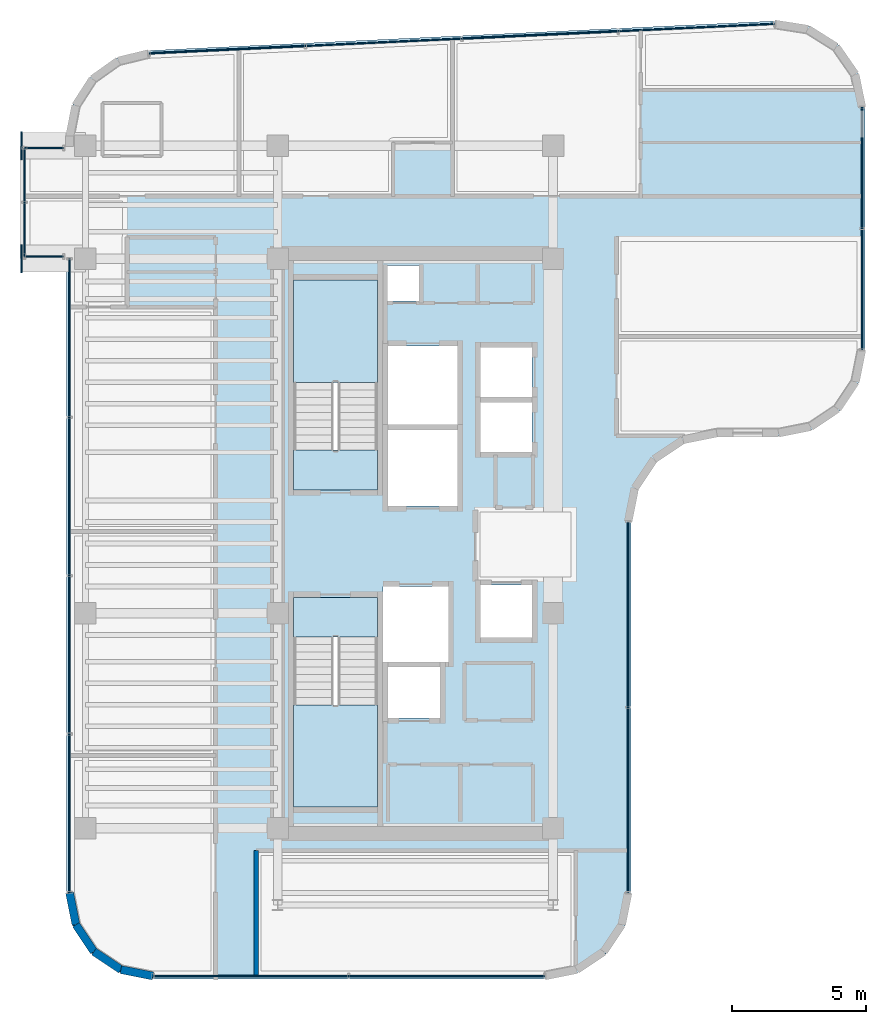
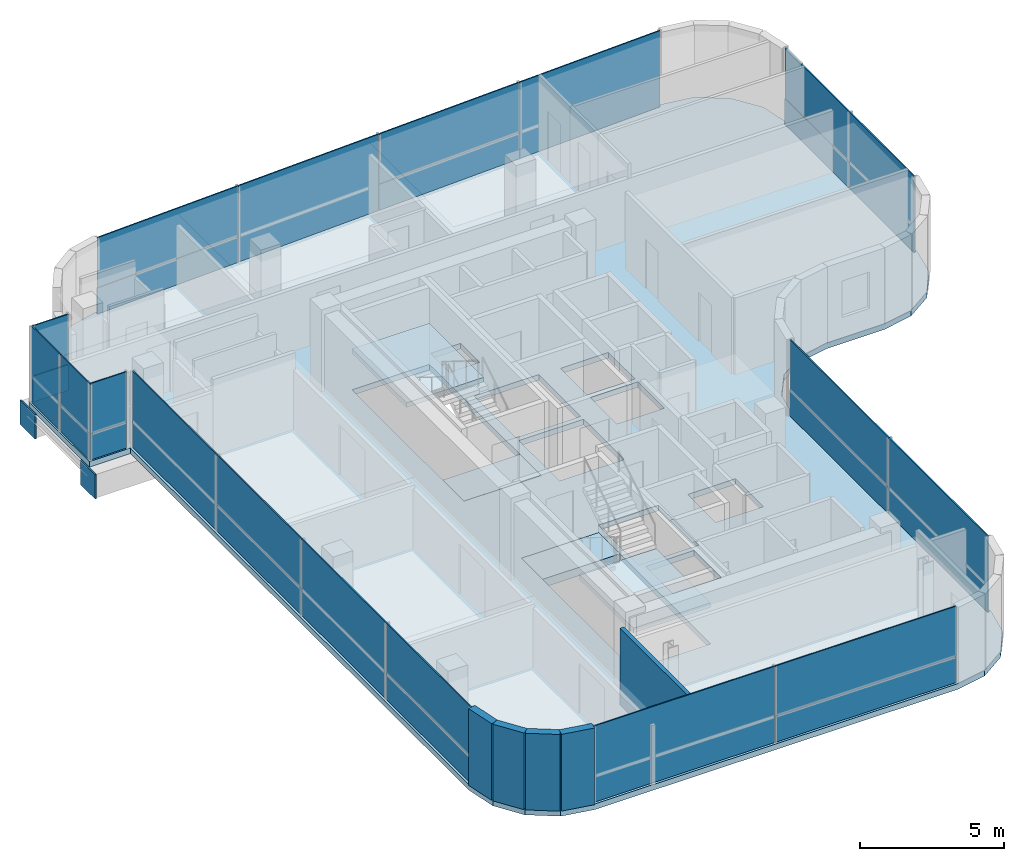
# One storey, part 15 of 21: 30 plates, 5 slabs, 5 walls, 10 elements without a shape of their own.
"""IFC4 building model written with IfcOpenShell, lengths in metres."""

from ifc_helpers import new_model, si_unit, direction, frame, frame_2d, origin, origin_2d, place, context, subcontext, project, spatial, polyline, rectangle, outline, extrude, source, transform, mapped, material, layer, layer_set, type_object, element, aggregate, save


model = new_model("IFC4")

# Units and contexts
model_context = context("Model", 3, precision=1e-05, world=origin(), true_north=direction((0.0, 1.0)))
body_context = subcontext(model_context, "Body", "Model", "MODEL_VIEW")
ifc_project = project(units=[si_unit("LENGTHUNIT", "METRE"), si_unit("AREAUNIT", "SQUARE_METRE"), si_unit("VOLUMEUNIT", "CUBIC_METRE"), si_unit("PLANEANGLEUNIT", "RADIAN"), si_unit("MASSUNIT", "GRAM", prefix="KILO")], contexts=[model_context])

# Site, building, storey
site_placement = place(None, origin())
site = spatial("IfcSite", under=ifc_project, at=site_placement, CompositionType="ELEMENT")
building_placement = place(site_placement, origin())
building = spatial("IfcBuilding", under=site, at=building_placement, Name="Valdorenza Pilgrim Sanctuary Tower", CompositionType="ELEMENT")
storey_placement = place(building_placement, frame((0.0, 0.0, 251.0)))
storey = spatial("IfcBuildingStorey", under=building, at=storey_placement, Name="L65", CompositionType="ELEMENT", Elevation=251.0)

# Slab
ifc_material_1 = material(Name="Concrete C40/50", Category="concrete")
ifc_layer_1 = layer(ifc_material_1, 0.239990234375, Name="Concrete C40/50")
ifc_layer_set_1 = layer_set([ifc_layer_1], Name="Concrete C40/50")
slab_type_1 = type_object("IfcSlabType", Name="SLAB-FLR-220", PredefinedType="FLOOR", material=ifc_layer_set_1)
slab_1_placement = place(storey_placement, frame((0.0, 0.0, -0.239990234375)))
element("IfcSlab", 1, at=slab_1_placement, inside=storey, type_object=slab_type_1, Name="L65 Structural Floor Slab 1", PredefinedType="FLOOR", context=body_context, shape_type="SweptSolid", body=[
    extrude(outline(polyline([(-30.2705078125, 16.3369140625), (-29.615478515625, 17.356201171875), (-28.628173828125, 18.05859375), (-27.45068359375, 18.34375), (-4.150634765625, 19.442138671875), (-2.880615234375, 19.243408203125), (-1.791259765625, 18.56103515625), (-1.05810546875, 17.5048828125), (-0.800048828125, 16.24560546875), (-0.800048828125, 7.199951171875), (-1.043701171875, 5.975341796875), (-1.7373046875, 4.937255859375), (-2.775390625, 4.24365234375), (-4.0, 4.0), (-6.300048828125, 4.0), (-7.524658203125, 3.75634765625), (-8.562744140625, 3.062744140625), (-9.25634765625, 2.024658203125), (-9.5, 0.800048828125), (-9.5, -13.0), (-9.74365234375, -14.224609375), (-10.437255859375, -15.2626953125), (-11.475341796875, -15.956298828125), (-12.699951171875, -16.199951171875), (-27.300048828125, -16.199951171875), (-28.524658203125, -15.956298828125), (-29.562744140625, -15.2626953125), (-30.25634765625, -14.224609375), (-30.5, -13.0), (-30.5, 10.60009765625), (-32.14990234375, 10.60009765625), (-32.14990234375, 14.800048828125), (-30.5, 14.800048828125), (-30.5, 15.147216796875), (-30.2705078125, 16.3369140625)]), holes=[polyline([(-22.050048828125, -9.800048828125), (-18.93994140625, -9.800048828125), (-18.93994140625, -3.485107421875), (-18.93994140625, -2.0), (-22.050048828125, -2.0), (-22.050048828125, -3.485107421875), (-22.050048828125, -9.800048828125)]), polyline([(-16.60009765625, -6.5), (-16.60009765625, -4.60009765625), (-18.550048828125, -4.60009765625), (-18.550048828125, -6.5), (-16.60009765625, -6.5)]), polyline([(-22.050048828125, 2.0), (-18.93994140625, 2.0), (-18.93994140625, 3.485107421875), (-18.93994140625, 9.800048828125), (-22.050048828125, 9.800048828125), (-22.050048828125, 3.485107421875), (-22.050048828125, 2.0)]), polyline([(-17.360107421875, 9.030029296875), (-17.360107421875, 10.35009765625), (-18.570068359375, 10.35009765625), (-18.570068359375, 9.030029296875), (-17.360107421875, 9.030029296875)]), polyline([(-16.300048828125, -1.60009765625), (-18.719970703125, -1.60009765625), (-18.719970703125, -4.39990234375), (-16.300048828125, -4.39990234375), (-16.300048828125, -1.60009765625)]), polyline([(-13.179931640625, -3.5), (-13.179931640625, -1.550048828125), (-15.10009765625, -1.550048828125), (-15.10009765625, -3.5), (-13.179931640625, -3.5)]), polyline([(-15.949951171875, 1.39990234375), (-15.949951171875, 4.22509765625), (-18.550048828125, 4.22509765625), (-18.550048828125, 1.39990234375), (-15.949951171875, 1.39990234375)]), polyline([(-13.179931640625, 5.25), (-15.10009765625, 5.25), (-15.10009765625, 3.39990234375), (-13.179931640625, 3.39990234375), (-13.179931640625, 5.25)]), polyline([(-15.949951171875, 4.425048828125), (-15.949951171875, 7.35009765625), (-18.550048828125, 7.35009765625), (-18.550048828125, 4.425048828125), (-15.949951171875, 4.425048828125)]), polyline([(-13.179931640625, 5.449951171875), (-13.179931640625, 7.300048828125), (-15.10009765625, 7.300048828125), (-15.10009765625, 5.449951171875), (-13.179931640625, 5.449951171875)])]), origin(), (0.0, 0.0, 1.0), 0.239990234375),
])

# Stair, slab
stair_type = type_object("IfcStairType", Name="STR-DOG-CORE", PredefinedType="HALF_TURN_STAIR", material=ifc_material_1)
stair_1_placement = place(storey_placement, origin())
stair_1 = element("IfcStair", 2, at=stair_1_placement, inside=storey, type_object=stair_type, Name="L65 ST-A1", PredefinedType="HALF_TURN_STAIR")
ifc_layer_2 = layer(ifc_material_1, 0.199951171875, Name="Concrete C40/50")
ifc_layer_set_2 = layer_set([ifc_layer_2], Name="Concrete C40/50")
slab_type_2 = type_object("IfcSlabType", Name="SLAB-STL-200", PredefinedType="LANDING", material=ifc_layer_set_2)
slab_2_placement = place(storey_placement, frame((0.0, 0.0, 1.550048828125)))
slab_2 = element("IfcSlab", 3, at=slab_2_placement, type_object=slab_type_2, Name="ST-A1 landing 1", PredefinedType="LANDING", context=body_context, shape_type="SweptSolid", body=[
    extrude(outline(polyline([(-18.93994140625, 6.0), (-18.93994140625, 9.800048828125), (-22.050048828125, 9.800048828125), (-22.050048828125, 6.0), (-18.93994140625, 6.0)])), origin(), (0.0, 0.0, 1.0), 0.199951171875),
])
aggregate(stair_1, [slab_2])

stair_2_placement = place(storey_placement, origin())
stair_2 = element("IfcStair", 4, at=stair_2_placement, inside=storey, type_object=stair_type, Name="L65 ST-A2", PredefinedType="HALF_TURN_STAIR")
slab_3_placement = place(storey_placement, frame((0.0, 0.0, 1.550048828125)))
slab_3 = element("IfcSlab", 5, at=slab_3_placement, type_object=slab_type_2, Name="ST-A2 landing 1", PredefinedType="LANDING", context=body_context, shape_type="SweptSolid", body=[
    extrude(outline(polyline([(-22.050048828125, -6.0), (-22.050048828125, -9.800048828125), (-18.93994140625, -9.800048828125), (-18.93994140625, -6.0), (-22.050048828125, -6.0)])), origin(), (0.0, 0.0, 1.0), 0.199951171875),
])
aggregate(stair_2, [slab_3])

# Slabs
ifc_material_2 = material(Name="Concrete C50/60", Category="concrete")
ifc_layer_3 = layer(ifc_material_2, 0.39990234375, Name="Concrete C50/60")
ifc_layer_set_3 = layer_set([ifc_layer_3], Name="Concrete C50/60")
slab_type_3 = type_object("IfcSlabType", Name="SLAB-TRF-400", PredefinedType="FLOOR", material=ifc_layer_set_3)
slab_4_placement = place(storey_placement, frame((0.0, 0.0, -0.360107421875)))
element("IfcSlab", 6, at=slab_4_placement, inside=storey, type_object=slab_type_3, Name="L65 ST-A1 Structural Stair Landing Bearing Slab", PredefinedType="FLOOR", context=body_context, shape_type="SweptSolid", body=[
    extrude(outline(polyline([(-22.050048828125, 2.0), (-18.93994140625, 2.0), (-18.93994140625, 3.485107421875), (-22.050048828125, 3.485107421875), (-22.050048828125, 2.0)])), origin(), (0.0, 0.0, 1.0), 0.360107421875),
])
slab_5_placement = place(storey_placement, frame((0.0, 0.0, -0.360107421875)))
element("IfcSlab", 7, at=slab_5_placement, inside=storey, type_object=slab_type_3, Name="L65 ST-A2 Structural Stair Landing Bearing Slab", PredefinedType="FLOOR", context=body_context, shape_type="SweptSolid", body=[
    extrude(outline(polyline([(-22.050048828125, -3.485107421875), (-18.93994140625, -3.485107421875), (-18.93994140625, -2.0), (-22.050048828125, -2.0), (-22.050048828125, -3.485107421875)])), origin(), (0.0, 0.0, 1.0), 0.360107421875),
])

# Plates
ifc_material_3 = material(Name="Steel ASTM A572 Grade 42", Category="steel")
ifc_layer_4 = layer(ifc_material_3, 0.06005859375, Name="Steel ASTM A572 Grade 42")
ifc_layer_set_4 = layer_set([ifc_layer_4], Name="Steel ASTM A572 Grade 42")
plate_type_1 = type_object("IfcPlateType", Name="PLT-CAP-60", PredefinedType="SHEET", material=ifc_layer_set_4)
shared_shape_1 = source(origin(), body_context, "Body", "SweptSolid", [
    extrude(rectangle(XDim=0.06005859375, YDim=1.0400390625, at=origin_2d()), origin(), (0.0, 0.0, 1.0), 1.0400390625),
])
for number, where, z_axis, x_axis, name in (
    (8, (-32.179931640625, 14.800048828125, -1.260009765625), (0.0, 0.0, 1.0), (1.0, 0.0, 0.0), "L65 BOX-WA-L65 Cantilever Tip End Cap N"),
    (9, (-32.179931640625, 10.60009765625, -1.260009765625), (0.0, 0.0, 1.0), (1.0, 0.0, 0.0), "L65 BOX-WA-L65 Cantilever Tip End Cap S"),
):
    element("IfcPlate", number, at=place(storey_placement, frame(where, z_axis=z_axis, x_axis=x_axis)), inside=storey, type_object=plate_type_1, Name=name, PredefinedType="SHEET", context=body_context, shape_type="MappedRepresentation", body=[
        mapped(shared_shape_1, transform((0.0, 0.0, 0.0), x_axis=(1.0, 0.0, 0.0), y_axis=(0.0, 1.0, 0.0), z_axis=(0.0, 0.0, 1.0), scale=1.0)),
    ])

# Curtain wall, plate
ifc_material_4 = material(Name="Curtain-wall IGU glazing", Category="glass")
curtain_wall_type = type_object("IfcCurtainWallType", Name="CW-SYS-02", PredefinedType="NOTDEFINED", material=ifc_material_4)
curtain_wall_1_placement = place(storey_placement, origin())
curtain_wall_1 = element("IfcCurtainWall", 10, at=curtain_wall_1_placement, inside=storey, type_object=curtain_wall_type, Name="L65 Curtain Wall CW-L65-BOX-WA-L65-S", PredefinedType="NOTDEFINED")
ifc_material_5 = material(Name="Honed travertine limestone", Category="masonry")
ifc_layer_5 = layer(ifc_material_5, 0.050048828125, Name="Honed travertine limestone")
ifc_layer_set_5 = layer_set([ifc_layer_5], Name="Honed travertine limestone")
plate_type_2 = type_object("IfcPlateType", Name="CW-SPN-TRV", PredefinedType="USERDEFINED", material=ifc_layer_set_5)
shared_shape_2 = source(origin(), body_context, "Body", "SweptSolid", [
    extrude(rectangle(XDim=1.43994140625, YDim=0.06005859375, at=origin_2d()), origin(), (0.0, 0.0, 1.0), 1.10009765625),
])
plate_1_placement = place(storey_placement, frame((-31.340087890625, 10.679931640625, 0.010009765625), z_axis=(0.0, 0.0, 1.0), x_axis=(-1.0, 0.0, 0.0)))
plate_1 = element("IfcPlate", 11, at=plate_1_placement, type_object=plate_type_2, Name="CW-L65-BOX-WA-L65-S Travertine Spandrel 1", ObjectType="SPANDREL", PredefinedType="USERDEFINED", context=body_context, shape_type="MappedRepresentation", body=[
    mapped(shared_shape_2, transform((0.0, 0.0, 0.0), x_axis=(1.0, 0.0, 0.0), y_axis=(0.0, 1.0, 0.0), z_axis=(0.0, 0.0, 1.0), scale=1.0)),
])

curtain_wall_2_placement = place(storey_placement, origin())
curtain_wall_2 = element("IfcCurtainWall", 12, at=curtain_wall_2_placement, inside=storey, type_object=curtain_wall_type, Name="L65 Curtain Wall CW-L65-BOX-WA-L65-N", PredefinedType="NOTDEFINED")
plate_2_placement = place(storey_placement, frame((-31.340087890625, 14.719970703125, 0.010009765625), z_axis=(0.0, 0.0, 1.0), x_axis=(1.0, 0.0, 0.0)))
plate_2 = element("IfcPlate", 13, at=plate_2_placement, type_object=plate_type_2, Name="CW-L65-BOX-WA-L65-N Travertine Spandrel 1", ObjectType="SPANDREL", PredefinedType="USERDEFINED", context=body_context, shape_type="MappedRepresentation", body=[
    mapped(shared_shape_2, transform((0.0, 0.0, 0.0), x_axis=(1.0, 0.0, 0.0), y_axis=(0.0, 1.0, 0.0), z_axis=(0.0, 0.0, 1.0), scale=1.0)),
])

curtain_wall_3_placement = place(storey_placement, origin())
curtain_wall_3 = element("IfcCurtainWall", 14, at=curtain_wall_3_placement, inside=storey, type_object=curtain_wall_type, Name="L65 Curtain Wall CW-L65-BOX-WA-L65-F", PredefinedType="NOTDEFINED")
shared_shape_3 = source(origin(), body_context, "Body", "SweptSolid", [
    extrude(rectangle(XDim=2.0, YDim=0.06005859375, at=origin_2d()), origin(), (0.0, 0.0, 1.0), 1.10009765625),
])
plate_3_placement = place(storey_placement, frame((-32.070068359375, 11.68994140625, 0.010009765625), z_axis=(0.0, 0.0, 1.0), x_axis=(0.0, 1.0, 0.0)))
plate_3 = element("IfcPlate", 15, at=plate_3_placement, type_object=plate_type_2, Name="CW-L65-BOX-WA-L65-F Travertine Spandrel 1", ObjectType="SPANDREL", PredefinedType="USERDEFINED", context=body_context, shape_type="MappedRepresentation", body=[
    mapped(shared_shape_3, transform((0.0, 0.0, 0.0), x_axis=(1.0, 0.0, 0.0), y_axis=(0.0, 1.0, 0.0), z_axis=(0.0, 0.0, 1.0), scale=1.0)),
])

# Plate
ifc_material_6 = material(Name="Ceramic-fritted low-E IGU glazing", Category="glass")
ifc_layer_6 = layer(ifc_material_6, 0.035888671875, Name="Ceramic-fritted low-E IGU glazing")
ifc_layer_set_6 = layer_set([ifc_layer_6], Name="Ceramic-fritted low-E IGU glazing")
plate_type_3 = type_object("IfcPlateType", Name="CW-GLZ-IGU", PredefinedType="USERDEFINED", material=ifc_layer_set_6)
shared_shape_4 = source(origin(), body_context, "Body", "SweptSolid", [
    extrude(rectangle(XDim=1.43994140625, YDim=0.050048828125, at=origin_2d()), origin(), (0.0, 0.0, 1.0), 2.1201171875),
])
plate_4_placement = place(storey_placement, frame((-31.340087890625, 10.679931640625, 1.1298828125), z_axis=(0.0, 0.0, 1.0), x_axis=(-1.0, 0.0, 0.0)))
plate_4 = element("IfcPlate", 16, at=plate_4_placement, type_object=plate_type_3, Name="CW-L65-BOX-WA-L65-S Facade Panel 1", ObjectType="GLAZING", PredefinedType="USERDEFINED", context=body_context, shape_type="MappedRepresentation", body=[
    mapped(shared_shape_4, transform((0.0, 0.0, 0.0), x_axis=(1.0, 0.0, 0.0), y_axis=(0.0, 1.0, 0.0), z_axis=(0.0, 0.0, 1.0), scale=1.0)),
])

aggregate(curtain_wall_1, [plate_1, plate_4])

plate_5_placement = place(storey_placement, frame((-31.340087890625, 14.719970703125, 1.1298828125), z_axis=(0.0, 0.0, 1.0), x_axis=(1.0, 0.0, 0.0)))
plate_5 = element("IfcPlate", 17, at=plate_5_placement, type_object=plate_type_3, Name="CW-L65-BOX-WA-L65-N Facade Panel 1", ObjectType="GLAZING", PredefinedType="USERDEFINED", context=body_context, shape_type="MappedRepresentation", body=[
    mapped(shared_shape_4, transform((0.0, 0.0, 0.0), x_axis=(1.0, 0.0, 0.0), y_axis=(0.0, 1.0, 0.0), z_axis=(0.0, 0.0, 1.0), scale=1.0)),
])

aggregate(curtain_wall_2, [plate_2, plate_5])

shared_shape_5 = source(origin(), body_context, "Body", "SweptSolid", [
    extrude(rectangle(XDim=2.0, YDim=0.050048828125, at=origin_2d()), origin(), (0.0, 0.0, 1.0), 2.1201171875),
])
plate_6_placement = place(storey_placement, frame((-32.070068359375, 11.68994140625, 1.1298828125), z_axis=(0.0, 0.0, 1.0), x_axis=(0.0, 1.0, 0.0)))
plate_6 = element("IfcPlate", 18, at=plate_6_placement, type_object=plate_type_3, Name="CW-L65-BOX-WA-L65-F Facade Panel 1", ObjectType="GLAZING", PredefinedType="USERDEFINED", context=body_context, shape_type="MappedRepresentation", body=[
    mapped(shared_shape_5, transform((0.0, 0.0, 0.0), x_axis=(1.0, 0.0, 0.0), y_axis=(0.0, 1.0, 0.0), z_axis=(0.0, 0.0, 1.0), scale=1.0)),
])

shared_shape_6 = source(origin(), body_context, "Body", "SweptSolid", [
    extrude(rectangle(XDim=2.0, YDim=0.050048828125, at=origin_2d()), origin(), (0.0, 0.0, 1.0), 3.239990234375),
])
plate_7_placement = place(storey_placement, frame((-32.070068359375, 13.7099609375, 0.009765625), z_axis=(0.0, 0.0, 1.0), x_axis=(0.0, 1.0, 0.0)))
plate_7 = element("IfcPlate", 19, at=plate_7_placement, type_object=plate_type_3, Name="CW-L65-BOX-WA-L65-F Full-Height Facade Panel 2", ObjectType="GLAZING", PredefinedType="USERDEFINED", context=body_context, shape_type="MappedRepresentation", body=[
    mapped(shared_shape_6, transform((0.0, 0.0, 0.0), x_axis=(1.0, 0.0, 0.0), y_axis=(0.0, 1.0, 0.0), z_axis=(0.0, 0.0, 1.0), scale=1.0)),
])

aggregate(curtain_wall_3, [plate_3, plate_6, plate_7])

# Curtain wall, plates
curtain_wall_4_placement = place(storey_placement, origin())
curtain_wall_4 = element("IfcCurtainWall", 20, at=curtain_wall_4_placement, inside=storey, type_object=curtain_wall_type, Name="L65 Curtain Wall CW-L65-1-6", PredefinedType="NOTDEFINED")
shared_shape_7 = source(origin(), body_context, "Body", "SweptSolid", [
    extrude(rectangle(XDim=5.805908203125, YDim=0.06005859375, at=origin_2d()), origin(), (0.0, 0.0, 1.0), 1.10009765625),
])
plate_8_placement = place(storey_placement, frame((-24.525146484375, 18.37158203125, 0.010009765625), z_axis=(0.0, 0.0, 1.0), x_axis=(0.998890696972, 0.047089016785, 0.0)))
plate_8 = element("IfcPlate", 21, at=plate_8_placement, type_object=plate_type_2, Name="CW-L65-1-6 Travertine Spandrel 1", ObjectType="SPANDREL", PredefinedType="USERDEFINED", context=body_context, shape_type="MappedRepresentation", body=[
    mapped(shared_shape_7, transform((0.0, 0.0, 0.0), x_axis=(1.0, 0.0, 0.0), y_axis=(0.0, 1.0, 0.0), z_axis=(0.0, 0.0, 1.0), scale=1.0)),
])
plate_9_placement = place(storey_placement, frame((-12.885986328125, 18.920166015625, 0.010009765625), z_axis=(0.0, 0.0, 1.0), x_axis=(0.998890696972, 0.047089016785, 0.0)))
plate_9 = element("IfcPlate", 22, at=plate_9_placement, type_object=plate_type_2, Name="CW-L65-1-6 Travertine Spandrel 3", ObjectType="SPANDREL", PredefinedType="USERDEFINED", context=body_context, shape_type="MappedRepresentation", body=[
    mapped(shared_shape_7, transform((0.0, 0.0, 0.0), x_axis=(1.0, 0.0, 0.0), y_axis=(0.0, 1.0, 0.0), z_axis=(0.0, 0.0, 1.0), scale=1.0)),
])
shared_shape_8 = source(origin(), body_context, "Body", "SweptSolid", [
    extrude(rectangle(XDim=5.805908203125, YDim=0.050048828125, at=origin_2d()), origin(), (0.0, 0.0, 1.0), 2.1201171875),
])
plate_10_placement = place(storey_placement, frame((-24.525146484375, 18.37158203125, 1.1298828125), z_axis=(0.0, 0.0, 1.0), x_axis=(0.998890696972, 0.047089016785, 0.0)))
plate_10 = element("IfcPlate", 23, at=plate_10_placement, type_object=plate_type_3, Name="CW-L65-1-6 Facade Panel 1", ObjectType="GLAZING", PredefinedType="USERDEFINED", context=body_context, shape_type="MappedRepresentation", body=[
    mapped(shared_shape_8, transform((0.0, 0.0, 0.0), x_axis=(1.0, 0.0, 0.0), y_axis=(0.0, 1.0, 0.0), z_axis=(0.0, 0.0, 1.0), scale=1.0)),
])
plate_11_placement = place(storey_placement, frame((-12.885986328125, 18.920166015625, 1.1298828125), z_axis=(0.0, 0.0, 1.0), x_axis=(0.998890696972, 0.047089016785, 0.0)))
plate_11 = element("IfcPlate", 24, at=plate_11_placement, type_object=plate_type_3, Name="CW-L65-1-6 Facade Panel 3", ObjectType="GLAZING", PredefinedType="USERDEFINED", context=body_context, shape_type="MappedRepresentation", body=[
    mapped(shared_shape_8, transform((0.0, 0.0, 0.0), x_axis=(1.0, 0.0, 0.0), y_axis=(0.0, 1.0, 0.0), z_axis=(0.0, 0.0, 1.0), scale=1.0)),
])
shared_shape_9 = source(origin(), body_context, "Body", "SweptSolid", [
    extrude(rectangle(XDim=5.805908203125, YDim=0.050048828125, at=origin_2d()), origin(), (0.0, 0.0, 1.0), 3.239990234375),
])
plate_12_placement = place(storey_placement, frame((-18.70556640625, 18.645751953125, 0.009765625), z_axis=(0.0, 0.0, 1.0), x_axis=(0.998890696972, 0.047089016785, 0.0)))
plate_12 = element("IfcPlate", 25, at=plate_12_placement, type_object=plate_type_3, Name="CW-L65-1-6 Full-Height Facade Panel 2", ObjectType="GLAZING", PredefinedType="USERDEFINED", context=body_context, shape_type="MappedRepresentation", body=[
    mapped(shared_shape_9, transform((0.0, 0.0, 0.0), x_axis=(1.0, 0.0, 0.0), y_axis=(0.0, 1.0, 0.0), z_axis=(0.0, 0.0, 1.0), scale=1.0)),
])
plate_13_placement = place(storey_placement, frame((-7.06640625, 19.194580078125, 0.009765625), z_axis=(0.0, 0.0, 1.0), x_axis=(0.998890696972, 0.047089016785, 0.0)))
plate_13 = element("IfcPlate", 26, at=plate_13_placement, type_object=plate_type_3, Name="CW-L65-1-6 Full-Height Facade Panel 4", ObjectType="GLAZING", PredefinedType="USERDEFINED", context=body_context, shape_type="MappedRepresentation", body=[
    mapped(shared_shape_9, transform((0.0, 0.0, 0.0), x_axis=(1.0, 0.0, 0.0), y_axis=(0.0, 1.0, 0.0), z_axis=(0.0, 0.0, 1.0), scale=1.0)),
])
aggregate(curtain_wall_4, [plate_8, plate_10, plate_12, plate_9, plate_11, plate_13])

curtain_wall_5_placement = place(storey_placement, origin())
curtain_wall_5 = element("IfcCurtainWall", 27, at=curtain_wall_5_placement, inside=storey, type_object=curtain_wall_type, Name="L65 Curtain Wall CW-L65-1-11", PredefinedType="NOTDEFINED")
shared_shape_10 = source(origin(), body_context, "Body", "SweptSolid", [
    extrude(rectangle(XDim=4.49169921875, YDim=0.06005859375, at=origin_2d()), origin(), (0.0, 0.0, 1.0), 1.10009765625),
])
plate_14_placement = place(storey_placement, frame((-0.909912109375, 13.978515625, 0.010009765625), z_axis=(0.0, 0.0, 1.0), x_axis=(0.0, -1.0, 0.0)))
plate_14 = element("IfcPlate", 28, at=plate_14_placement, type_object=plate_type_2, Name="CW-L65-1-11 Travertine Spandrel 1", ObjectType="SPANDREL", PredefinedType="USERDEFINED", context=body_context, shape_type="MappedRepresentation", body=[
    mapped(shared_shape_10, transform((0.0, 0.0, 0.0), x_axis=(1.0, 0.0, 0.0), y_axis=(0.0, 1.0, 0.0), z_axis=(0.0, 0.0, 1.0), scale=1.0)),
])
shared_shape_11 = source(origin(), body_context, "Body", "SweptSolid", [
    extrude(rectangle(XDim=4.49169921875, YDim=0.050048828125, at=origin_2d()), origin(), (0.0, 0.0, 1.0), 2.1201171875),
])
plate_15_placement = place(storey_placement, frame((-0.909912109375, 13.978515625, 1.1298828125), z_axis=(0.0, 0.0, 1.0), x_axis=(0.0, -1.0, 0.0)))
plate_15 = element("IfcPlate", 29, at=plate_15_placement, type_object=plate_type_3, Name="CW-L65-1-11 Facade Panel 1", ObjectType="GLAZING", PredefinedType="USERDEFINED", context=body_context, shape_type="MappedRepresentation", body=[
    mapped(shared_shape_11, transform((0.0, 0.0, 0.0), x_axis=(1.0, 0.0, 0.0), y_axis=(0.0, 1.0, 0.0), z_axis=(0.0, 0.0, 1.0), scale=1.0)),
])
shared_shape_12 = source(origin(), body_context, "Body", "SweptSolid", [
    extrude(rectangle(XDim=4.49169921875, YDim=0.050048828125, at=origin_2d()), origin(), (0.0, 0.0, 1.0), 3.239990234375),
])
plate_16_placement = place(storey_placement, frame((-0.909912109375, 9.466796875, 0.009765625), z_axis=(0.0, 0.0, 1.0), x_axis=(0.0, -1.0, 0.0)))
plate_16 = element("IfcPlate", 30, at=plate_16_placement, type_object=plate_type_3, Name="CW-L65-1-11 Full-Height Facade Panel 2", ObjectType="GLAZING", PredefinedType="USERDEFINED", context=body_context, shape_type="MappedRepresentation", body=[
    mapped(shared_shape_12, transform((0.0, 0.0, 0.0), x_axis=(1.0, 0.0, 0.0), y_axis=(0.0, 1.0, 0.0), z_axis=(0.0, 0.0, 1.0), scale=1.0)),
])
aggregate(curtain_wall_5, [plate_14, plate_15, plate_16])

curtain_wall_6_placement = place(storey_placement, origin())
curtain_wall_6 = element("IfcCurtainWall", 31, at=curtain_wall_6_placement, inside=storey, type_object=curtain_wall_type, Name="L65 Curtain Wall CW-L65-1-21", PredefinedType="NOTDEFINED")
shared_shape_13 = source(origin(), body_context, "Body", "SweptSolid", [
    extrude(rectangle(XDim=6.8798828125, YDim=0.06005859375, at=origin_2d()), origin(), (0.0, 0.0, 1.0), 1.10009765625),
])
plate_17_placement = place(storey_placement, frame((-9.610107421875, -2.63916015625, 0.010009765625), z_axis=(0.0, 0.0, 1.0), x_axis=(0.0, -1.0, 0.0)))
plate_17 = element("IfcPlate", 32, at=plate_17_placement, type_object=plate_type_2, Name="CW-L65-1-21 Travertine Spandrel 1", ObjectType="SPANDREL", PredefinedType="USERDEFINED", context=body_context, shape_type="MappedRepresentation", body=[
    mapped(shared_shape_13, transform((0.0, 0.0, 0.0), x_axis=(1.0, 0.0, 0.0), y_axis=(0.0, 1.0, 0.0), z_axis=(0.0, 0.0, 1.0), scale=1.0)),
])
shared_shape_14 = source(origin(), body_context, "Body", "SweptSolid", [
    extrude(rectangle(XDim=6.8798828125, YDim=0.050048828125, at=origin_2d()), origin(), (0.0, 0.0, 1.0), 2.1201171875),
])
plate_18_placement = place(storey_placement, frame((-9.610107421875, -2.63916015625, 1.1298828125), z_axis=(0.0, 0.0, 1.0), x_axis=(0.0, -1.0, 0.0)))
plate_18 = element("IfcPlate", 33, at=plate_18_placement, type_object=plate_type_3, Name="CW-L65-1-21 Facade Panel 1", ObjectType="GLAZING", PredefinedType="USERDEFINED", context=body_context, shape_type="MappedRepresentation", body=[
    mapped(shared_shape_14, transform((0.0, 0.0, 0.0), x_axis=(1.0, 0.0, 0.0), y_axis=(0.0, 1.0, 0.0), z_axis=(0.0, 0.0, 1.0), scale=1.0)),
])
shared_shape_15 = source(origin(), body_context, "Body", "SweptSolid", [
    extrude(rectangle(XDim=6.8798828125, YDim=0.050048828125, at=origin_2d()), origin(), (0.0, 0.0, 1.0), 3.239990234375),
])
plate_19_placement = place(storey_placement, frame((-9.610107421875, -9.539306640625, 0.009765625), z_axis=(0.0, 0.0, 1.0), x_axis=(0.0, -1.0, 0.0)))
plate_19 = element("IfcPlate", 34, at=plate_19_placement, type_object=plate_type_3, Name="CW-L65-1-21 Full-Height Facade Panel 2", ObjectType="GLAZING", PredefinedType="USERDEFINED", context=body_context, shape_type="MappedRepresentation", body=[
    mapped(shared_shape_15, transform((0.0, 0.0, 0.0), x_axis=(1.0, 0.0, 0.0), y_axis=(0.0, 1.0, 0.0), z_axis=(0.0, 0.0, 1.0), scale=1.0)),
])
aggregate(curtain_wall_6, [plate_17, plate_18, plate_19])

curtain_wall_7_placement = place(storey_placement, origin())
curtain_wall_7 = element("IfcCurtainWall", 35, at=curtain_wall_7_placement, inside=storey, type_object=curtain_wall_type, Name="L65 Curtain Wall CW-L65-1-26", PredefinedType="NOTDEFINED")
shared_shape_16 = source(origin(), body_context, "Body", "SweptSolid", [
    extrude(rectangle(XDim=7.269287109375, YDim=0.06005859375, at=origin_2d()), origin(), (0.0, 0.0, 1.0), 1.10009765625),
])
plate_20_placement = place(storey_placement, frame((-16.35546875, -16.090087890625, 0.010009765625), z_axis=(0.0, 0.0, 1.0), x_axis=(-1.0, 0.0, 0.0)))
plate_20 = element("IfcPlate", 36, at=plate_20_placement, type_object=plate_type_2, Name="CW-L65-1-26 Travertine Spandrel 1", ObjectType="SPANDREL", PredefinedType="USERDEFINED", context=body_context, shape_type="MappedRepresentation", body=[
    mapped(shared_shape_16, transform((0.0, 0.0, 0.0), x_axis=(1.0, 0.0, 0.0), y_axis=(0.0, 1.0, 0.0), z_axis=(0.0, 0.0, 1.0), scale=1.0)),
])
shared_shape_17 = source(origin(), body_context, "Body", "SweptSolid", [
    extrude(rectangle(XDim=7.269287109375, YDim=0.050048828125, at=origin_2d()), origin(), (0.0, 0.0, 1.0), 2.1201171875),
])
plate_21_placement = place(storey_placement, frame((-16.35546875, -16.090087890625, 1.1298828125), z_axis=(0.0, 0.0, 1.0), x_axis=(-1.0, 0.0, 0.0)))
plate_21 = element("IfcPlate", 37, at=plate_21_placement, type_object=plate_type_3, Name="CW-L65-1-26 Facade Panel 1", ObjectType="GLAZING", PredefinedType="USERDEFINED", context=body_context, shape_type="MappedRepresentation", body=[
    mapped(shared_shape_17, transform((0.0, 0.0, 0.0), x_axis=(1.0, 0.0, 0.0), y_axis=(0.0, 1.0, 0.0), z_axis=(0.0, 0.0, 1.0), scale=1.0)),
])
shared_shape_18 = source(origin(), body_context, "Body", "SweptSolid", [
    extrude(rectangle(XDim=7.269287109375, YDim=0.050048828125, at=origin_2d()), origin(), (0.0, 0.0, 1.0), 3.239990234375),
])
plate_22_placement = place(storey_placement, frame((-23.64453125, -16.090087890625, 0.009765625), z_axis=(0.0, 0.0, 1.0), x_axis=(-1.0, 0.0, 0.0)))
plate_22 = element("IfcPlate", 38, at=plate_22_placement, type_object=plate_type_3, Name="CW-L65-1-26 Full-Height Facade Panel 2", ObjectType="GLAZING", PredefinedType="USERDEFINED", context=body_context, shape_type="MappedRepresentation", body=[
    mapped(shared_shape_18, transform((0.0, 0.0, 0.0), x_axis=(1.0, 0.0, 0.0), y_axis=(0.0, 1.0, 0.0), z_axis=(0.0, 0.0, 1.0), scale=1.0)),
])
aggregate(curtain_wall_7, [plate_20, plate_21, plate_22])

curtain_wall_8_placement = place(storey_placement, origin())
curtain_wall_8 = element("IfcCurtainWall", 39, at=curtain_wall_8_placement, inside=storey, type_object=curtain_wall_type, Name="L65 Curtain Wall CW-L65-1-1S1", PredefinedType="NOTDEFINED")
shared_shape_19 = source(origin(), body_context, "Body", "SweptSolid", [
    extrude(rectangle(XDim=5.877197265625, YDim=0.06005859375, at=origin_2d()), origin(), (0.0, 0.0, 1.0), 1.10009765625),
])
plate_23_placement = place(storey_placement, frame((-30.389892578125, -10.04052734375, 0.010009765625), z_axis=(0.0, 0.0, 1.0), x_axis=(0.0, 1.0, 0.0)))
plate_23 = element("IfcPlate", 40, at=plate_23_placement, type_object=plate_type_2, Name="CW-L65-1-1S1 Travertine Spandrel 1", ObjectType="SPANDREL", PredefinedType="USERDEFINED", context=body_context, shape_type="MappedRepresentation", body=[
    mapped(shared_shape_19, transform((0.0, 0.0, 0.0), x_axis=(1.0, 0.0, 0.0), y_axis=(0.0, 1.0, 0.0), z_axis=(0.0, 0.0, 1.0), scale=1.0)),
])
plate_24_placement = place(storey_placement, frame((-30.389892578125, 1.75390625, 0.010009765625), z_axis=(0.0, 0.0, 1.0), x_axis=(0.0, 1.0, 0.0)))
plate_24 = element("IfcPlate", 41, at=plate_24_placement, type_object=plate_type_2, Name="CW-L65-1-1S1 Travertine Spandrel 3", ObjectType="SPANDREL", PredefinedType="USERDEFINED", context=body_context, shape_type="MappedRepresentation", body=[
    mapped(shared_shape_19, transform((0.0, 0.0, 0.0), x_axis=(1.0, 0.0, 0.0), y_axis=(0.0, 1.0, 0.0), z_axis=(0.0, 0.0, 1.0), scale=1.0)),
])
shared_shape_20 = source(origin(), body_context, "Body", "SweptSolid", [
    extrude(rectangle(XDim=5.877197265625, YDim=0.050048828125, at=origin_2d()), origin(), (0.0, 0.0, 1.0), 2.1201171875),
])
plate_25_placement = place(storey_placement, frame((-30.389892578125, -10.04052734375, 1.1298828125), z_axis=(0.0, 0.0, 1.0), x_axis=(0.0, 1.0, 0.0)))
plate_25 = element("IfcPlate", 42, at=plate_25_placement, type_object=plate_type_3, Name="CW-L65-1-1S1 Facade Panel 1", ObjectType="GLAZING", PredefinedType="USERDEFINED", context=body_context, shape_type="MappedRepresentation", body=[
    mapped(shared_shape_20, transform((0.0, 0.0, 0.0), x_axis=(1.0, 0.0, 0.0), y_axis=(0.0, 1.0, 0.0), z_axis=(0.0, 0.0, 1.0), scale=1.0)),
])
plate_26_placement = place(storey_placement, frame((-30.389892578125, 1.75390625, 1.1298828125), z_axis=(0.0, 0.0, 1.0), x_axis=(0.0, 1.0, 0.0)))
plate_26 = element("IfcPlate", 43, at=plate_26_placement, type_object=plate_type_3, Name="CW-L65-1-1S1 Facade Panel 3", ObjectType="GLAZING", PredefinedType="USERDEFINED", context=body_context, shape_type="MappedRepresentation", body=[
    mapped(shared_shape_20, transform((0.0, 0.0, 0.0), x_axis=(1.0, 0.0, 0.0), y_axis=(0.0, 1.0, 0.0), z_axis=(0.0, 0.0, 1.0), scale=1.0)),
])
shared_shape_21 = source(origin(), body_context, "Body", "SweptSolid", [
    extrude(rectangle(XDim=5.877197265625, YDim=0.050048828125, at=origin_2d()), origin(), (0.0, 0.0, 1.0), 3.239990234375),
])
plate_27_placement = place(storey_placement, frame((-30.389892578125, -4.143310546875, 0.009765625), z_axis=(0.0, 0.0, 1.0), x_axis=(0.0, 1.0, 0.0)))
plate_27 = element("IfcPlate", 44, at=plate_27_placement, type_object=plate_type_3, Name="CW-L65-1-1S1 Full-Height Facade Panel 2", ObjectType="GLAZING", PredefinedType="USERDEFINED", context=body_context, shape_type="MappedRepresentation", body=[
    mapped(shared_shape_21, transform((0.0, 0.0, 0.0), x_axis=(1.0, 0.0, 0.0), y_axis=(0.0, 1.0, 0.0), z_axis=(0.0, 0.0, 1.0), scale=1.0)),
])
plate_28_placement = place(storey_placement, frame((-30.389892578125, 7.6513671875, 0.009765625), z_axis=(0.0, 0.0, 1.0), x_axis=(0.0, 1.0, 0.0)))
plate_28 = element("IfcPlate", 45, at=plate_28_placement, type_object=plate_type_3, Name="CW-L65-1-1S1 Full-Height Facade Panel 4", ObjectType="GLAZING", PredefinedType="USERDEFINED", context=body_context, shape_type="MappedRepresentation", body=[
    mapped(shared_shape_21, transform((0.0, 0.0, 0.0), x_axis=(1.0, 0.0, 0.0), y_axis=(0.0, 1.0, 0.0), z_axis=(0.0, 0.0, 1.0), scale=1.0)),
])
aggregate(curtain_wall_8, [plate_23, plate_25, plate_27, plate_24, plate_26, plate_28])

# Walls
ifc_material_7 = material(Name="Acoustic twin-stud gypsum partition", Category="gypsum")
ifc_layer_7 = layer(ifc_material_7, 0.159912109375, Name="Acoustic twin-stud gypsum partition")
ifc_layer_set_7 = layer_set([ifc_layer_7], Name="Acoustic twin-stud gypsum partition")
wall_type_1 = type_object("IfcWallType", Name="WAL-COR-160", PredefinedType="PARTITIONING", material=ifc_layer_set_7)
wall_1_placement = place(storey_placement, frame((-23.449951171875, -16.090087890625, 0.0), z_axis=(0.0, 0.0, 1.0), x_axis=(0.0, 1.0, 0.0)))
element("IfcWall", 46, at=wall_1_placement, inside=storey, type_object=wall_type_1, Name="L65 South-East Pocket West Wall", PredefinedType="PARTITIONING", context=body_context, shape_type="SweptSolid", body=[
    extrude(rectangle(XDim=4.670166015625, YDim=0.159912109375, at=frame_2d((2.3349609375, 0.0))), origin(), (0.0, 0.0, 1.0), 3.260009765625),
])
ifc_layer_8 = layer(ifc_material_5, 0.300048828125, Name="Honed travertine limestone")
ifc_layer_set_8 = layer_set([ifc_layer_8], Name="Honed travertine limestone")
wall_type_2 = type_object("IfcWallType", Name="WAL-EXT-300", PredefinedType="SOLIDWALL", material=ifc_layer_set_8)
wall_2_placement = place(storey_placement, frame((-27.289306640625, -16.090087890625, 0.0), z_axis=(0.0, 0.0, 1.0), x_axis=(-0.980765602568, 0.195189223115, 0.0)))
element("IfcWall", 47, at=wall_2_placement, inside=storey, type_object=wall_type_2, Name="L65 Rounded Wind-Corner Stone Pier 27", PredefinedType="SOLIDWALL", context=body_context, shape_type="SweptSolid", body=[
    extrude(rectangle(XDim=1.2158203125, YDim=0.300048828125, at=frame_2d((0.60791015625, 0.0))), origin(), (0.0, 0.0, 1.0), 3.260009765625),
])
for number, where, z_axis, x_axis, name in (
    (48, (-28.481689453125, -15.852783203125, 0.0), (0.0, 0.0, 1.0), (-0.831426265255, 0.555635100982, 0.0), "L65 Rounded Wind-Corner Stone Pier 28"),
    (49, (-29.4833984375, -15.183349609375, 0.0), (0.0, 0.0, 1.0), (-0.555635100982, 0.831426265255, 0.0), "L65 Rounded Wind-Corner Stone Pier 29"),
):
    element("IfcWall", number, at=place(storey_placement, frame(where, z_axis=z_axis, x_axis=x_axis)), inside=storey, type_object=wall_type_2, Name=name, PredefinedType="SOLIDWALL", context=body_context, shape_type="SweptSolid", body=[
        extrude(rectangle(XDim=1.204833984375, YDim=0.300048828125, at=frame_2d((0.6025390625, 0.0))), origin(), (0.0, 0.0, 1.0), 3.260009765625),
    ])
wall_3_placement = place(storey_placement, frame((-30.15283203125, -14.181640625, 0.0), z_axis=(0.0, 0.0, 1.0), x_axis=(-0.194996050505, 0.980804027463, 0.0)))
element("IfcWall", 50, at=wall_3_placement, inside=storey, type_object=wall_type_2, Name="L65 Rounded Wind-Corner Stone Pier 30", PredefinedType="SOLIDWALL", context=body_context, shape_type="SweptSolid", body=[
    extrude(rectangle(XDim=1.2158203125, YDim=0.300048828125, at=frame_2d((0.60791015625, 0.0))), origin(), (0.0, 0.0, 1.0), 3.260009765625),
])

save(model, "model.ifc")
